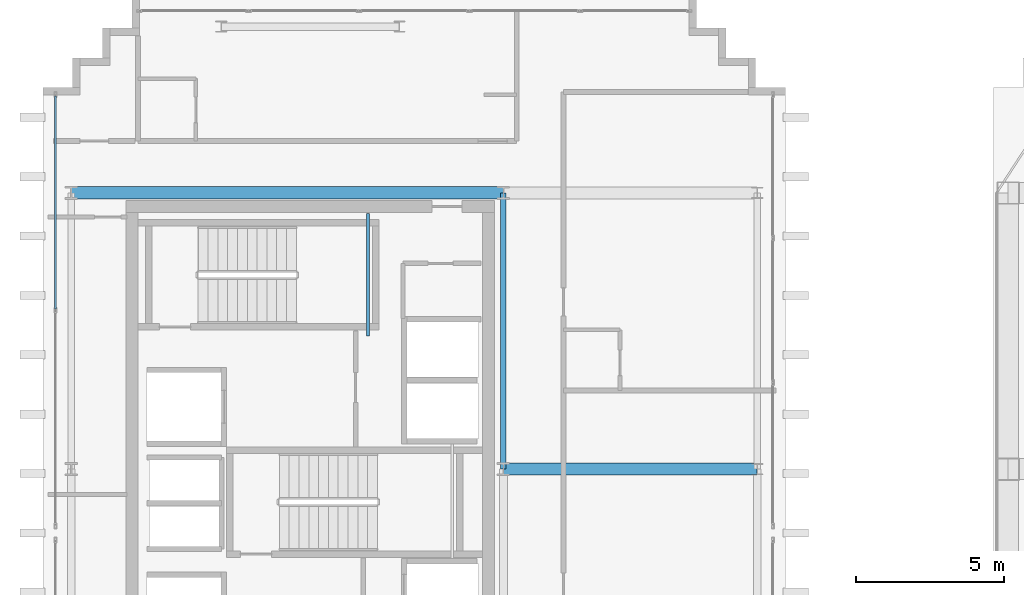
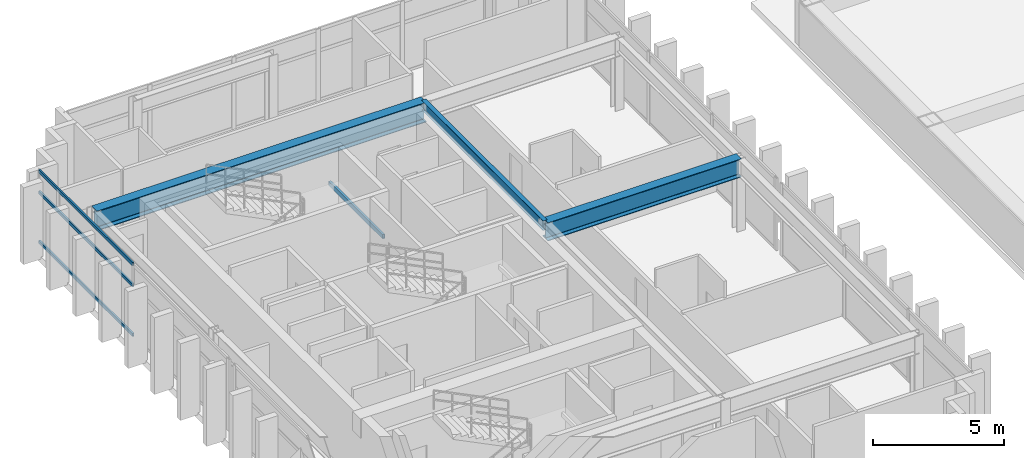
# One storey, part 8 of 17: 4 beams, 3 members, 1 element without a shape of its own.
"""IFC4 building model written with IfcOpenShell, lengths in metres."""

from ifc_helpers import new_model, si_unit, direction, frame, origin, origin_2d, place, context, subcontext, project, spatial, hollow_rectangle, i_section, extrude, source, transform, mapped, material, layer, layer_set, material_profile, profile_set, type_object, element, aggregate, save


model = new_model("IFC4")

# Units and contexts
model_context = context("Model", 3, precision=1e-05, world=origin(), true_north=direction((0.0, 1.0)))
body_context = subcontext(model_context, "Body", "Model", "MODEL_VIEW")
ifc_project = project(units=[si_unit("LENGTHUNIT", "METRE"), si_unit("AREAUNIT", "SQUARE_METRE"), si_unit("VOLUMEUNIT", "CUBIC_METRE"), si_unit("PLANEANGLEUNIT", "RADIAN"), si_unit("MASSUNIT", "GRAM", prefix="KILO")], contexts=[model_context])

# Site, building, storey
site_placement = place(None, origin())
site = spatial("IfcSite", under=ifc_project, at=site_placement, CompositionType="ELEMENT")
building_placement = place(site_placement, origin())
building = spatial("IfcBuilding", under=site, at=building_placement, Name="Ocotamira Hotel", CompositionType="ELEMENT")
storey_placement = place(building_placement, frame((0.0, 0.0, 272.39990234375)))
storey = spatial("IfcBuildingStorey", under=building, at=storey_placement, Name="L69", CompositionType="ELEMENT", Elevation=272.39990234375)

# Beams
ifc_material_1 = material(Name="Steel ASTM A500 Grade C", Category="steel")
ifc_material_profile_1 = material_profile(ifc_material_1, hollow_rectangle(XDim=0.10009765625, YDim=0.199951171875, WallThickness=0.008056640625, at=origin_2d()), Name="HSS200X100X8")
ifc_profile_set_1 = profile_set([ifc_material_profile_1], Name="Steel ASTM A500 Grade C")
beam_type_1 = type_object("IfcBeamType", Name="BM-STLDG-HSS200", PredefinedType="BEAM", material=ifc_profile_set_1)
shared_shape_1 = source(origin(), body_context, "Body", "SweptSolid", [
    extrude(hollow_rectangle(XDim=0.10009765625, YDim=0.199951171875, WallThickness=0.008056640625, at=origin_2d()), origin(), (0.0, 0.0, 1.0), 4.1201171875),
])
beam_1_placement = place(storey_placement, frame((18.949951171875, 32.6298828125, 1.5), z_axis=(0.0, 1.0, 0.0), x_axis=(-1.0, 0.0, 0.0)))
element("IfcBeam", 1, at=beam_1_placement, inside=storey, type_object=beam_type_1, Name="L69 Stair ST-2 Landing Bearer 1", PredefinedType="BEAM", context=body_context, shape_type="MappedRepresentation", body=[
    mapped(shared_shape_1, transform((0.0, 0.0, 0.0), scale=1.0)),
])
ifc_material_2 = material(Name="Steel ASTM A992 Grade 50", Category="steel")
ifc_material_profile_2 = material_profile(ifc_material_2, i_section(OverallWidth=0.41796875, OverallDepth=0.927001953125, WebThickness=0.019287109375, FlangeThickness=0.031982421875, FilletRadius=0.02392578125, at=origin_2d()), Name="W36X231")
ifc_profile_set_2 = profile_set([ifc_material_profile_2], Name="Steel ASTM A992 Grade 50")
beam_type_2 = type_object("IfcBeamType", Name="BM-GIRD-W36X231", PredefinedType="BEAM", material=ifc_profile_set_2)
shared_shape_2 = source(origin(), body_context, "Body", "SweptSolid", [
    extrude(i_section(OverallWidth=0.41796875, OverallDepth=0.927001953125, WebThickness=0.019287109375, FlangeThickness=0.031982421875, FilletRadius=0.02392578125, at=origin_2d()), origin(), (0.0, 0.0, 1.0), 14.550048828125),
])
beam_2_placement = place(storey_placement, frame((8.949951171875, 37.449951171875, 2.91650390625), z_axis=(1.0, 0.0, 0.0), x_axis=(0.0, 1.0, 0.0)))
element("IfcBeam", 2, at=beam_2_placement, inside=storey, type_object=beam_type_2, Name="L69 Girder Y37.45 X8.95-23.5", PredefinedType="BEAM", context=body_context, shape_type="MappedRepresentation", body=[
    mapped(shared_shape_2, transform((0.0, 0.0, 0.0), scale=1.0)),
])
ifc_material_profile_3 = material_profile(ifc_material_2, i_section(OverallWidth=0.18994140625, OverallDepth=0.45703125, WebThickness=0.009033203125, FlangeThickness=0.014404296875, FilletRadius=0.010009765625, at=origin_2d()), Name="W18X50")
ifc_profile_set_3 = profile_set([ifc_material_profile_3], Name="Steel ASTM A992 Grade 50")
beam_type_3 = type_object("IfcBeamType", Name="BM-SEC-W18X50", PredefinedType="JOIST", material=ifc_profile_set_3)
shared_shape_3 = source(origin(), body_context, "Body", "SweptSolid", [
    extrude(i_section(OverallWidth=0.18994140625, OverallDepth=0.45703125, WebThickness=0.009033203125, FlangeThickness=0.014404296875, FilletRadius=0.010009765625, at=origin_2d()), origin(), (0.0, 0.0, 1.0), 9.300048828125),
])
beam_3_placement = place(storey_placement, frame((23.5, 28.14990234375, 3.151611328125), z_axis=(0.0, 1.0, 0.0), x_axis=(-1.0, 0.0, 0.0)))
element("IfcBeam", 3, at=beam_3_placement, inside=storey, type_object=beam_type_3, Name="L69 Beam X23.5 Y28.15-37.45", PredefinedType="JOIST", context=body_context, shape_type="MappedRepresentation", body=[
    mapped(shared_shape_3, transform((0.0, 0.0, 0.0), scale=1.0)),
])
ifc_material_profile_4 = material_profile(ifc_material_2, i_section(OverallWidth=0.39990234375, OverallDepth=0.85595703125, WebThickness=0.018310546875, FlangeThickness=0.029296875, FilletRadius=0.02001953125, at=origin_2d()), Name="W33X201")
ifc_profile_set_4 = profile_set([ifc_material_profile_4], Name="Steel ASTM A992 Grade 50")
beam_type_4 = type_object("IfcBeamType", Name="BM-GIRD-W33X201", PredefinedType="BEAM", material=ifc_profile_set_4)
shared_shape_4 = source(origin(), body_context, "Body", "SweptSolid", [
    extrude(i_section(OverallWidth=0.39990234375, OverallDepth=0.85595703125, WebThickness=0.018310546875, FlangeThickness=0.029296875, FilletRadius=0.02001953125, at=origin_2d()), origin(), (0.0, 0.0, 1.0), 8.550048828125),
])
beam_4_placement = place(storey_placement, frame((23.5, 28.14990234375, 2.9521484375), z_axis=(1.0, 0.0, 0.0), x_axis=(0.0, 1.0, 0.0)))
element("IfcBeam", 4, at=beam_4_placement, inside=storey, type_object=beam_type_4, Name="L69 Girder Y28.15 X23.5-32.05", PredefinedType="BEAM", context=body_context, shape_type="MappedRepresentation", body=[
    mapped(shared_shape_4, transform((0.0, 0.0, 0.0), scale=1.0)),
])

# Curtain wall, members
ifc_material_3 = material(Name="Anodised pale-metal aluminium and solar glass", Category="aluminium")
ifc_layer = layer(ifc_material_3, 0.2099609375)
ifc_layer_set = layer_set([ifc_layer], Name="Anodised pale-metal aluminium and solar glass")
curtain_wall_type = type_object("IfcCurtainWallType", Name="CW-SYS7-PEAK", PredefinedType="NOTDEFINED", material=ifc_layer_set)
curtain_wall_placement = place(storey_placement, origin())
curtain_wall = element("IfcCurtainWall", 5, at=curtain_wall_placement, inside=storey, type_object=curtain_wall_type, Name="L69 Curtain Wall CW-7 CW-L69-W2", PredefinedType="NOTDEFINED")
ifc_material_4 = material(Name="Anodised pale-metal aluminium 6063-T6", Category="aluminium")
ifc_material_profile_5 = material_profile(ifc_material_4, hollow_rectangle(XDim=0.074951171875, YDim=0.14990234375, WallThickness=0.006103515625, at=origin_2d()), Name="HSS150X75X6")
ifc_profile_set_5 = profile_set([ifc_material_profile_5], Name="Anodised pale-metal aluminium 6063-T6")
member_type = type_object("IfcMemberType", Name="CWT-150X75", PredefinedType="USERDEFINED", material=ifc_profile_set_5)
shared_shape_5 = source(origin(), body_context, "Body", "SweptSolid", [
    extrude(hollow_rectangle(XDim=0.074951171875, YDim=0.14990234375, WallThickness=0.006103515625, at=origin_2d()), origin(), (0.0, 0.0, 1.0), 7.179931640625),
])
member_1_placement = place(storey_placement, frame((8.419921875, 33.5400390625, 0.03759765625), z_axis=(0.0, 1.0, 0.0), x_axis=(-1.0, 0.0, 0.0)))
member_1 = element("IfcMember", 6, at=member_1_placement, type_object=member_type, Name="CW-7 transom 2.1", ObjectType="TRANSOM", PredefinedType="USERDEFINED", context=body_context, shape_type="MappedRepresentation", body=[
    mapped(shared_shape_5, transform((0.0, 0.0, 0.0), scale=1.0)),
])
member_2_placement = place(storey_placement, frame((8.419921875, 33.5400390625, 2.35009765625), z_axis=(0.0, 1.0, 0.0), x_axis=(-1.0, 0.0, 0.0)))
member_2 = element("IfcMember", 7, at=member_2_placement, type_object=member_type, Name="CW-7 transom 2.2", ObjectType="TRANSOM", PredefinedType="USERDEFINED", context=body_context, shape_type="MappedRepresentation", body=[
    mapped(shared_shape_5, transform((0.0, 0.0, 0.0), scale=1.0)),
])
member_3_placement = place(storey_placement, frame((8.419921875, 33.5400390625, 3.342529296875), z_axis=(0.0, 1.0, 0.0), x_axis=(-1.0, 0.0, 0.0)))
member_3 = element("IfcMember", 8, at=member_3_placement, type_object=member_type, Name="CW-7 transom 2.3", ObjectType="TRANSOM", PredefinedType="USERDEFINED", context=body_context, shape_type="MappedRepresentation", body=[
    mapped(shared_shape_5, transform((0.0, 0.0, 0.0), scale=1.0)),
])
aggregate(curtain_wall, [member_1, member_2, member_3])

save(model, "model.ifc")
